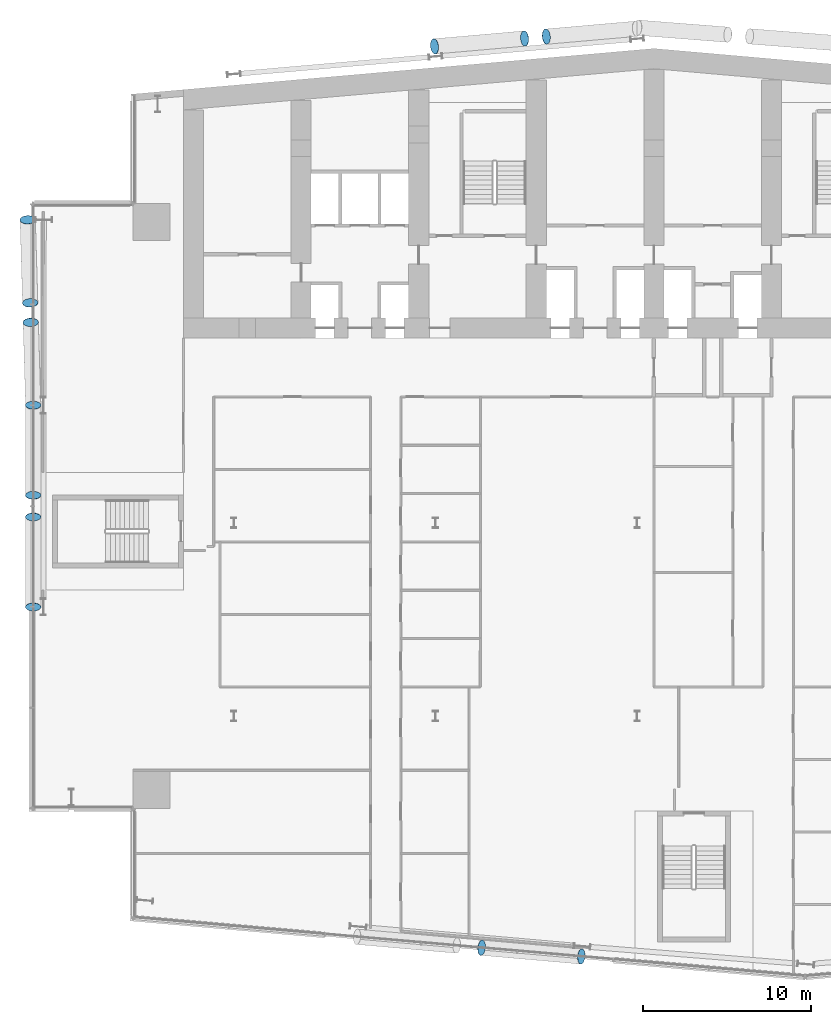
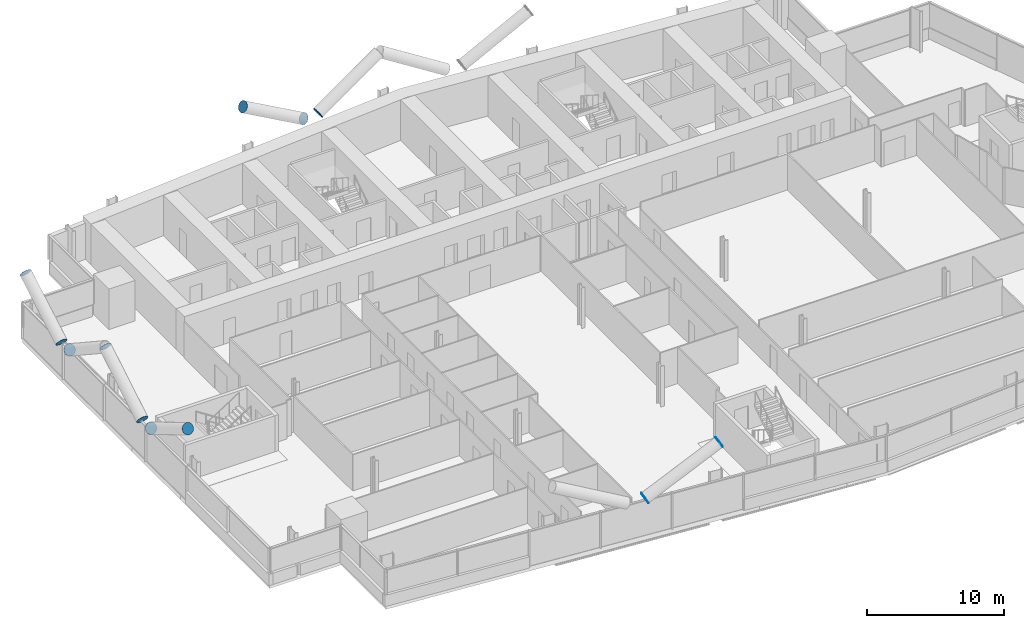
# One storey, part 21 of 27: 12 discrete accessories.
"""IFC4 building model written with IfcOpenShell, lengths in metres."""

from ifc_helpers import new_model, si_unit, direction, frame, origin, origin_2d, place, context, subcontext, project, spatial, circle, extrude, material, material_profile, profile_set, type_object, element, save


model = new_model("IFC4")

# Units and contexts
model_context = context("Model", 3, precision=1e-05, world=origin(), true_north=direction((0.0, 1.0)))
body_context = subcontext(model_context, "Body", "Model", "MODEL_VIEW")
ifc_project = project(units=[si_unit("LENGTHUNIT", "METRE"), si_unit("AREAUNIT", "SQUARE_METRE"), si_unit("VOLUMEUNIT", "CUBIC_METRE"), si_unit("PLANEANGLEUNIT", "RADIAN"), si_unit("MASSUNIT", "GRAM", prefix="KILO")], contexts=[model_context])

# Site, building, storey
site_placement = place(None, origin())
site = spatial("IfcSite", under=ifc_project, at=site_placement, CompositionType="ELEMENT")
building_placement = place(site_placement, origin())
building = spatial("IfcBuilding", under=site, at=building_placement, Name="Wharfspan Tower", CompositionType="ELEMENT")
storey_placement = place(building_placement, frame((0.0, 0.0, 77.5)))
storey = spatial("IfcBuildingStorey", under=building, at=storey_placement, Name="L16", CompositionType="ELEMENT", Elevation=77.5)

# Discrete accessories
ifc_material = material(Name="Steel S460NH", Category="steel")
ifc_material_profile = material_profile(ifc_material, circle(Radius=0.457031, at=origin_2d()))
ifc_profile_set = profile_set([ifc_material_profile], Name="Steel S460NH")
discrete_accessory_type = type_object("IfcDiscreteAccessoryType", Name="End plate CHS 914x40", PredefinedType="BRACKET", material=ifc_profile_set)
for number, where, z_axis, x_axis, name in (
    (1, (26.737549, -2.283936, 3.295654), (0.870063, -0.096674, 0.483368), (0.110432, 0.993885, 0.0), "End plate CHS 914x40"),
    (2, (32.671387, -2.803223, 6.5), (0.881993, -0.073499, 0.465496), (0.083046, 0.996545, -2e-06), "End plate CHS 914x40"),
):
    element("IfcDiscreteAccessory", number, at=place(storey_placement, frame(where, z_axis=z_axis, x_axis=x_axis)), inside=storey, type_object=discrete_accessory_type, Name=name, PredefinedType="BRACKET", context=body_context, shape_type="SweptSolid", body=[
        extrude(circle(Radius=0.457031, at=origin_2d()), origin(), (0.0, 0.0, 1.0), 0.01001),
    ])
discrete_accessory_1_placement = place(storey_placement, frame((0.054932, 23.358887, 3.284668), z_axis=(0.0, -0.863779, 0.503871), x_axis=(1.0, 0.0, 0.0)))
element("IfcDiscreteAccessory", 3, at=discrete_accessory_1_placement, inside=storey, type_object=discrete_accessory_type, Name="End plate CHS 914x40", PredefinedType="BRACKET", context=body_context, shape_type="SweptSolid", body=[
    extrude(circle(Radius=0.457031, at=origin_2d()), origin(), (0.0, 0.0, 1.0), 0.010254),
])
discrete_accessory_2_placement = place(storey_placement, frame((0.054932, 18.0, 6.5), z_axis=(0.0, -0.857493, 0.514496), x_axis=(1.0, 0.0, 0.0)))
element("IfcDiscreteAccessory", 4, at=discrete_accessory_2_placement, inside=storey, type_object=discrete_accessory_type, Name="End plate CHS 914x40", PredefinedType="BRACKET", context=body_context, shape_type="SweptSolid", body=[
    extrude(circle(Radius=0.457031, at=origin_2d()), origin(), (0.0, 0.0, 1.0), 0.01001),
])
discrete_accessory_3_placement = place(storey_placement, frame((0.054932, 24.641113, 3.284668), z_axis=(0.0, 0.863779, 0.503871), x_axis=(-1.0, 0.0, 0.0)))
element("IfcDiscreteAccessory", 5, at=discrete_accessory_3_placement, inside=storey, type_object=discrete_accessory_type, Name="End plate CHS 914x40", PredefinedType="BRACKET", context=body_context, shape_type="SweptSolid", body=[
    extrude(circle(Radius=0.457031, at=origin_2d()), origin(), (0.0, 0.0, 1.0), 0.010254),
])
for number, where, z_axis, x_axis, name in (
    (6, (0.054932, 30.0, 6.5), (0.0, 0.857493, 0.514496), (-1.0, 0.0, 0.0), "End plate CHS 914x40"),
    (7, (-0.092041, 34.941895, 3.275391), (0.024686, -0.839314, 0.543086), (0.999566, 0.0294, 1e-06), "End plate CHS 914x40"),
    (8, (-0.126221, 36.092285, 3.275391), (-0.024686, 0.839314, 0.543086), (-0.999566, -0.0294, 1e-06), "End plate CHS 914x40"),
    (9, (-0.273193, 41.03418, 6.5), (-0.024183, 0.846389, 0.532016), (-0.999594, -0.028561, 1e-06), "End plate CHS 914x40"),
    (10, (30.589111, 51.944092, 3.285156), (0.855186, 0.073302, 0.513112), (-0.085402, 0.996345, 1e-06), "End plate CHS 914x40"),
    (11, (29.30542, 51.831787, 3.285156), (-0.855186, -0.073302, 0.513112), (0.085402, -0.996345, 1e-06), "End plate CHS 914x40"),
    (12, (23.947266, 51.363037, 6.5), (-0.853405, -0.097532, 0.512043), (0.113547, -0.993531, 1e-06), "End plate CHS 914x40"),
):
    element("IfcDiscreteAccessory", number, at=place(storey_placement, frame(where, z_axis=z_axis, x_axis=x_axis)), inside=storey, type_object=discrete_accessory_type, Name=name, PredefinedType="BRACKET", context=body_context, shape_type="SweptSolid", body=[
        extrude(circle(Radius=0.457031, at=origin_2d()), origin(), (0.0, 0.0, 1.0), 0.01001),
    ])

save(model, "model.ifc")
